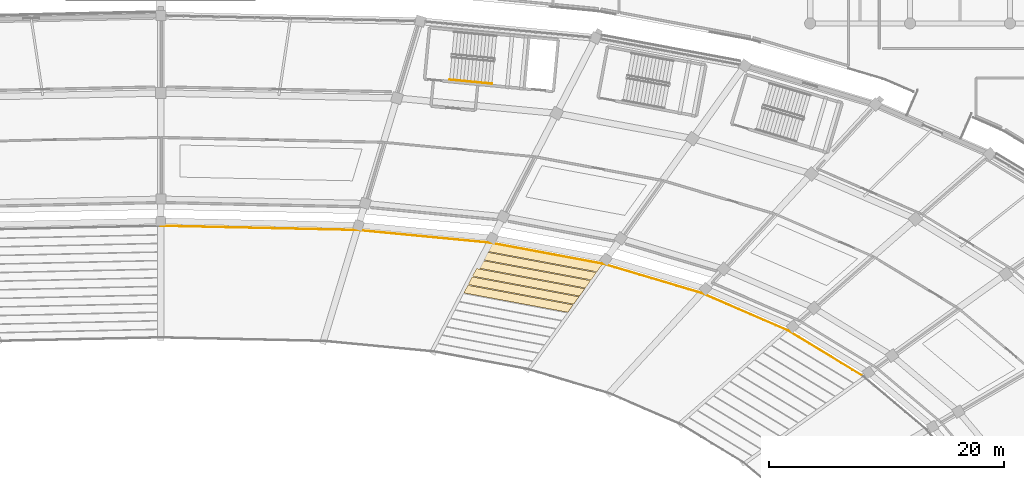
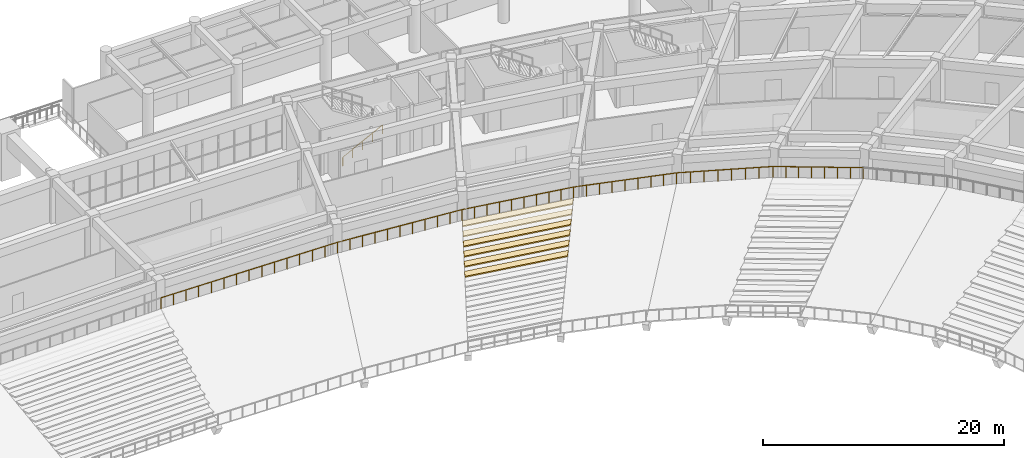
# One storey, part 149 of 152: 6 coverings, 2 railings.
"""IFC4 building model written with IfcOpenShell, lengths in metres."""

from ifc_helpers import new_model, si_unit, direction, frame, origin, origin_2d, place, context, subcontext, project, spatial, polyline, circle, outline, extrude, material, layer, layer_set, type_object, element, save


model = new_model("IFC4")

# Units and contexts
model_context = context("Model", 3, precision=1e-05, world=origin(), true_north=direction((0.0, 1.0)))
body_context = subcontext(model_context, "Body", "Model", "MODEL_VIEW")
ifc_project = project(units=[si_unit("LENGTHUNIT", "METRE"), si_unit("AREAUNIT", "SQUARE_METRE"), si_unit("VOLUMEUNIT", "CUBIC_METRE"), si_unit("PLANEANGLEUNIT", "RADIAN"), si_unit("MASSUNIT", "GRAM", prefix="KILO")], contexts=[model_context])

# Site, building, storey
site_placement = place(None, origin())
site = spatial("IfcSite", under=ifc_project, at=site_placement, CompositionType="ELEMENT")
building_placement = place(site_placement, origin())
building = spatial("IfcBuilding", under=site, at=building_placement, Name="Mphavela Belvedere Stadium", CompositionType="ELEMENT")
storey_placement = place(building_placement, frame((0.0, 0.0, 5.39990234375)))
storey = spatial("IfcBuildingStorey", under=building, at=storey_placement, Name="L01", CompositionType="ELEMENT", Elevation=5.39990234375)

# Coverings
ifc_material_1 = material(Name="Precast seating row terrazzo finish", Category="concrete")
ifc_layer = layer(ifc_material_1, 0.1201171875)
ifc_layer_set = layer_set([ifc_layer], Name="Precast seating row terrazzo finish")
covering_type = type_object("IfcCoveringType", Name="COV-SEAT-ROW-L", PredefinedType="FLOORING", material=ifc_layer_set)
covering_1_placement = place(storey_placement, frame((0.0, 0.0, -0.527587890625)))
element("IfcCovering", 1, at=covering_1_placement, inside=storey, type_object=covering_type, Name="Lower stand seating row bench B10-R08", PredefinedType="FLOORING", context=body_context, shape_type="SweptSolid", body=[
    extrude(outline(polyline([(149.708984375, 135.3662109375), (140.837890625, 137.0185546875), (141.177001953125, 137.6748046875), (150.16455078125, 136.001220703125), (149.708984375, 135.3662109375)])), origin(), (0.0, 0.0, 1.0), 0.119873046875),
])
covering_2_placement = place(storey_placement, frame((0.0, 0.0, -0.066162109375)))
element("IfcCovering", 2, at=covering_2_placement, inside=storey, type_object=covering_type, Name="Lower stand seating row bench B10-R09", PredefinedType="FLOORING", context=body_context, shape_type="SweptSolid", body=[
    extrude(outline(polyline([(150.2041015625, 136.05615234375), (141.20654296875, 137.73193359375), (141.545654296875, 138.388427734375), (150.65966796875, 136.69091796875), (150.2041015625, 136.05615234375)])), origin(), (0.0, 0.0, 1.0), 0.1201171875),
])
covering_3_placement = place(storey_placement, frame((0.0, 0.0, 0.3955078125)))
element("IfcCovering", 3, at=covering_3_placement, inside=storey, type_object=covering_type, Name="Lower stand seating row bench B10-R10", PredefinedType="FLOORING", context=body_context, shape_type="SweptSolid", body=[
    extrude(outline(polyline([(150.69921875, 136.74609375), (141.5751953125, 138.445556640625), (141.914306640625, 139.101806640625), (151.15478515625, 137.380859375), (150.69921875, 136.74609375)])), origin(), (0.0, 0.0, 1.0), 0.119873046875),
])
covering_4_placement = place(storey_placement, frame((0.0, 0.0, 0.85693359375)))
element("IfcCovering", 4, at=covering_4_placement, inside=storey, type_object=covering_type, Name="Lower stand seating row bench B10-R11", PredefinedType="FLOORING", context=body_context, shape_type="SweptSolid", body=[
    extrude(outline(polyline([(151.1943359375, 137.43603515625), (141.943603515625, 139.158935546875), (142.28271484375, 139.8154296875), (151.64990234375, 138.07080078125), (151.1943359375, 137.43603515625)])), origin(), (0.0, 0.0, 1.0), 0.1201171875),
])
covering_5_placement = place(storey_placement, frame((0.0, 0.0, 1.318603515625)))
element("IfcCovering", 5, at=covering_5_placement, inside=storey, type_object=covering_type, Name="Lower stand seating row bench B10-R12", PredefinedType="FLOORING", context=body_context, shape_type="SweptSolid", body=[
    extrude(outline(polyline([(151.689453125, 138.126220703125), (142.312255859375, 139.87255859375), (142.6513671875, 140.52880859375), (152.14501953125, 138.7607421875), (151.689453125, 138.126220703125)])), origin(), (0.0, 0.0, 1.0), 0.119873046875),
])
covering_6_placement = place(storey_placement, frame((0.0, 0.0, 1.780029296875)))
element("IfcCovering", 6, at=covering_6_placement, inside=storey, type_object=covering_type, Name="Lower stand seating row bench B10-R13", PredefinedType="FLOORING", context=body_context, shape_type="SweptSolid", body=[
    extrude(outline(polyline([(152.1845703125, 138.81591796875), (142.680908203125, 140.5859375), (143.02001953125, 141.242431640625), (152.64013671875, 139.45068359375), (152.1845703125, 138.81591796875)])), origin(), (0.0, 0.0, 1.0), 0.1201171875),
])

# Railings
ifc_material_2 = material(Name="Bronze and laminated glass stadium balustrade", Category="glass")
railing_type_1 = type_object("IfcRailingType", Name="RAL-BALUSTRADE-1120", PredefinedType="BALUSTRADE", material=ifc_material_2)
railing_1_placement = place(storey_placement, frame((174.889404296875, 129.910400390625, 1.900146484375)))
element("IfcRailing", 7, at=railing_1_placement, inside=storey, type_object=railing_type_1, Name="Bowl safety balustrade t1_rear S2", PredefinedType="BALUSTRADE", context=body_context, shape_type="SweptSolid", body=[
    extrude(circle(Radius=0.02392578125, at=origin_2d()), frame((0.0, 0.0, 1.09619140625), z_axis=(-0.854322499928, 0.519743269429, 0.0), x_axis=(-0.519743269429, -0.854322499928, 0.0)), (0.0, 0.0, 1.0), 7.49169921875),
    extrude(circle(Radius=0.02392578125, at=origin_2d()), frame((-6.400390625, 3.893798828125, 1.09619140625), z_axis=(-0.917498798541, 0.397738550654, 0.0), x_axis=(-0.397738550654, -0.917498798541, 0.0)), (0.0, 0.0, 1.0), 8.047119140625),
    extrude(circle(Radius=0.02392578125, at=origin_2d()), frame((-13.78369140625, 7.094482421875, 1.09619140625), z_axis=(-0.958662376763, 0.284546037364, 0.0), x_axis=(-0.284546037364, -0.958662376763, 0.0)), (0.0, 0.0, 1.0), 8.789306640625),
    extrude(circle(Radius=0.02392578125, at=origin_2d()), frame((-22.209716796875, 9.595458984375, 1.09619140625), z_axis=(-0.983092402982, 0.183110150455, 0.0), x_axis=(-0.183110150455, -0.983092402982, 0.0)), (0.0, 0.0, 1.0), 9.795654296875),
    extrude(circle(Radius=0.02392578125, at=origin_2d()), frame((-31.83984375, 11.38916015625, 1.09619140625), z_axis=(-0.995485236334, 0.094916511953, 0.0), x_axis=(-0.094916511953, -0.995485236334, 0.0)), (0.0, 0.0, 1.0), 11.368896484375),
    extrude(circle(Radius=0.02392578125, at=origin_2d()), frame((-43.157470703125, 12.46826171875, 1.09619140625), z_axis=(-0.999768164728, 0.021531762499, 0.0), x_axis=(-0.021531762499, -0.999768164728, 0.0)), (0.0, 0.0, 1.0), 16.73583984375),
    extrude(circle(Radius=0.02099609375, at=origin_2d()), origin(), (0.0, 0.0, 1.0), 1.072021484375),
    extrude(circle(Radius=0.02099609375, at=origin_2d()), frame((-0.914306640625, 0.55615234375, 0.0)), (0.0, 0.0, 1.0), 1.072021484375),
    extrude(circle(Radius=0.02099609375, at=origin_2d()), frame((-1.82861328125, 1.112548828125, 0.0)), (0.0, 0.0, 1.0), 1.072021484375),
    extrude(circle(Radius=0.02099609375, at=origin_2d()), frame((-2.742919921875, 1.668701171875, 0.0)), (0.0, 0.0, 1.0), 1.072021484375),
    extrude(circle(Radius=0.02099609375, at=origin_2d()), frame((-3.657470703125, 2.22509765625, 0.0)), (0.0, 0.0, 1.0), 1.072021484375),
    extrude(circle(Radius=0.02099609375, at=origin_2d()), frame((-4.57177734375, 2.78125, 0.0)), (0.0, 0.0, 1.0), 1.072021484375),
    extrude(circle(Radius=0.02099609375, at=origin_2d()), frame((-5.486083984375, 3.337646484375, 0.0)), (0.0, 0.0, 1.0), 1.072021484375),
    extrude(circle(Radius=0.02099609375, at=origin_2d()), frame((-6.400390625, 3.893798828125, 0.0)), (0.0, 0.0, 1.0), 1.072021484375),
    extrude(circle(Radius=0.02099609375, at=origin_2d()), frame((-7.455078125, 4.35107421875, 0.0)), (0.0, 0.0, 1.0), 1.072021484375),
    extrude(circle(Radius=0.02099609375, at=origin_2d()), frame((-8.510009765625, 4.808349609375, 0.0)), (0.0, 0.0, 1.0), 1.072021484375),
    extrude(circle(Radius=0.02099609375, at=origin_2d()), frame((-9.564697265625, 5.265625, 0.0)), (0.0, 0.0, 1.0), 1.072021484375),
    extrude(circle(Radius=0.02099609375, at=origin_2d()), frame((-10.619384765625, 5.72265625, 0.0)), (0.0, 0.0, 1.0), 1.072021484375),
    extrude(circle(Radius=0.02099609375, at=origin_2d()), frame((-11.674072265625, 6.179931640625, 0.0)), (0.0, 0.0, 1.0), 1.072021484375),
    extrude(circle(Radius=0.02099609375, at=origin_2d()), frame((-12.72900390625, 6.63720703125, 0.0)), (0.0, 0.0, 1.0), 1.072021484375),
    extrude(circle(Radius=0.02099609375, at=origin_2d()), frame((-13.78369140625, 7.094482421875, 0.0)), (0.0, 0.0, 1.0), 1.072021484375),
    extrude(circle(Radius=0.02099609375, at=origin_2d()), frame((-14.8369140625, 7.4072265625, 0.0)), (0.0, 0.0, 1.0), 1.072021484375),
    extrude(circle(Radius=0.02099609375, at=origin_2d()), frame((-15.89013671875, 7.7197265625, 0.0)), (0.0, 0.0, 1.0), 1.072021484375),
    extrude(circle(Radius=0.02099609375, at=origin_2d()), frame((-16.943359375, 8.0322265625, 0.0)), (0.0, 0.0, 1.0), 1.072021484375),
    extrude(circle(Radius=0.02099609375, at=origin_2d()), frame((-17.99658203125, 8.344970703125, 0.0)), (0.0, 0.0, 1.0), 1.072021484375),
    extrude(circle(Radius=0.02099609375, at=origin_2d()), frame((-19.050048828125, 8.65771484375, 0.0)), (0.0, 0.0, 1.0), 1.072021484375),
    extrude(circle(Radius=0.02099609375, at=origin_2d()), frame((-20.103271484375, 8.97021484375, 0.0)), (0.0, 0.0, 1.0), 1.072021484375),
    extrude(circle(Radius=0.02099609375, at=origin_2d()), frame((-21.156494140625, 9.28271484375, 0.0)), (0.0, 0.0, 1.0), 1.072021484375),
    extrude(circle(Radius=0.02099609375, at=origin_2d()), frame((-22.209716796875, 9.595458984375, 0.0)), (0.0, 0.0, 1.0), 1.072021484375),
    extrude(circle(Radius=0.02099609375, at=origin_2d()), frame((-23.27978515625, 9.794677734375, 0.0)), (0.0, 0.0, 1.0), 1.072021484375),
    extrude(circle(Radius=0.02099609375, at=origin_2d()), frame((-24.349853515625, 9.994140625, 0.0)), (0.0, 0.0, 1.0), 1.072021484375),
    extrude(circle(Radius=0.02099609375, at=origin_2d()), frame((-25.419677734375, 10.193359375, 0.0)), (0.0, 0.0, 1.0), 1.072021484375),
    extrude(circle(Radius=0.02099609375, at=origin_2d()), frame((-26.48974609375, 10.392578125, 0.0)), (0.0, 0.0, 1.0), 1.072021484375),
    extrude(circle(Radius=0.02099609375, at=origin_2d()), frame((-27.559814453125, 10.592041015625, 0.0)), (0.0, 0.0, 1.0), 1.072021484375),
    extrude(circle(Radius=0.02099609375, at=origin_2d()), frame((-28.6298828125, 10.791259765625, 0.0)), (0.0, 0.0, 1.0), 1.072021484375),
    extrude(circle(Radius=0.02099609375, at=origin_2d()), frame((-29.69970703125, 10.990478515625, 0.0)), (0.0, 0.0, 1.0), 1.072021484375),
    extrude(circle(Radius=0.02099609375, at=origin_2d()), frame((-30.769775390625, 11.18994140625, 0.0)), (0.0, 0.0, 1.0), 1.072021484375),
    extrude(circle(Radius=0.02099609375, at=origin_2d()), frame((-31.83984375, 11.38916015625, 0.0)), (0.0, 0.0, 1.0), 1.072021484375),
    extrude(circle(Radius=0.02099609375, at=origin_2d()), frame((-32.9716796875, 11.4970703125, 0.0)), (0.0, 0.0, 1.0), 1.072021484375),
    extrude(circle(Radius=0.02099609375, at=origin_2d()), frame((-34.103271484375, 11.60498046875, 0.0)), (0.0, 0.0, 1.0), 1.072021484375),
    extrude(circle(Radius=0.02099609375, at=origin_2d()), frame((-35.235107421875, 11.712890625, 0.0)), (0.0, 0.0, 1.0), 1.072021484375),
    extrude(circle(Radius=0.02099609375, at=origin_2d()), frame((-36.366943359375, 11.82080078125, 0.0)), (0.0, 0.0, 1.0), 1.072021484375),
    extrude(circle(Radius=0.02099609375, at=origin_2d()), frame((-37.49853515625, 11.9287109375, 0.0)), (0.0, 0.0, 1.0), 1.072021484375),
    extrude(circle(Radius=0.02099609375, at=origin_2d()), frame((-38.63037109375, 12.03662109375, 0.0)), (0.0, 0.0, 1.0), 1.072021484375),
    extrude(circle(Radius=0.02099609375, at=origin_2d()), frame((-39.76220703125, 12.14453125, 0.0)), (0.0, 0.0, 1.0), 1.072021484375),
    extrude(circle(Radius=0.02099609375, at=origin_2d()), frame((-40.89404296875, 12.25244140625, 0.0)), (0.0, 0.0, 1.0), 1.072021484375),
    extrude(circle(Radius=0.02099609375, at=origin_2d()), frame((-42.025634765625, 12.3603515625, 0.0)), (0.0, 0.0, 1.0), 1.072021484375),
    extrude(circle(Radius=0.02099609375, at=origin_2d()), frame((-43.157470703125, 12.46826171875, 0.0)), (0.0, 0.0, 1.0), 1.072021484375),
    extrude(circle(Radius=0.02099609375, at=origin_2d()), frame((-44.3525390625, 12.493896484375, 0.0)), (0.0, 0.0, 1.0), 1.072021484375),
    extrude(circle(Radius=0.02099609375, at=origin_2d()), frame((-45.5478515625, 12.519775390625, 0.0)), (0.0, 0.0, 1.0), 1.072021484375),
    extrude(circle(Radius=0.02099609375, at=origin_2d()), frame((-46.742919921875, 12.54541015625, 0.0)), (0.0, 0.0, 1.0), 1.072021484375),
    extrude(circle(Radius=0.02099609375, at=origin_2d()), frame((-47.93798828125, 12.5712890625, 0.0)), (0.0, 0.0, 1.0), 1.072021484375),
    extrude(circle(Radius=0.02099609375, at=origin_2d()), frame((-49.133056640625, 12.596923828125, 0.0)), (0.0, 0.0, 1.0), 1.072021484375),
    extrude(circle(Radius=0.02099609375, at=origin_2d()), frame((-50.328369140625, 12.622802734375, 0.0)), (0.0, 0.0, 1.0), 1.072021484375),
    extrude(circle(Radius=0.02099609375, at=origin_2d()), frame((-51.5234375, 12.6484375, 0.0)), (0.0, 0.0, 1.0), 1.072021484375),
    extrude(circle(Radius=0.02099609375, at=origin_2d()), frame((-52.718505859375, 12.674072265625, 0.0)), (0.0, 0.0, 1.0), 1.072021484375),
    extrude(circle(Radius=0.02099609375, at=origin_2d()), frame((-53.913818359375, 12.699951171875, 0.0)), (0.0, 0.0, 1.0), 1.072021484375),
    extrude(circle(Radius=0.02099609375, at=origin_2d()), frame((-55.10888671875, 12.7255859375, 0.0)), (0.0, 0.0, 1.0), 1.072021484375),
    extrude(circle(Radius=0.02099609375, at=origin_2d()), frame((-56.303955078125, 12.75146484375, 0.0)), (0.0, 0.0, 1.0), 1.072021484375),
    extrude(circle(Radius=0.02099609375, at=origin_2d()), frame((-57.4990234375, 12.777099609375, 0.0)), (0.0, 0.0, 1.0), 1.072021484375),
    extrude(circle(Radius=0.02099609375, at=origin_2d()), frame((-58.6943359375, 12.802978515625, 0.0)), (0.0, 0.0, 1.0), 1.072021484375),
    extrude(circle(Radius=0.02099609375, at=origin_2d()), frame((-59.889404296875, 12.82861328125, 0.0)), (0.0, 0.0, 1.0), 1.072021484375),
])
ifc_material_3 = material(Name="Brushed stainless steel tubular handrail", Category="steel")
railing_type_2 = type_object("IfcRailingType", Name="RAL-HANDRAIL-900", PredefinedType="HANDRAIL", material=ifc_material_3)
railing_2_placement = place(storey_placement, frame((139.625732421875, 155.200439453125, 0.184814453125)))
element("IfcRailing", 8, at=railing_2_placement, inside=storey, type_object=railing_type_2, Name="L01 ST-C03 stair handrail 1", PredefinedType="HANDRAIL", context=body_context, shape_type="SweptSolid", body=[
    extrude(circle(Radius=0.02392578125, at=origin_2d()), frame((0.0, 0.0, 0.8759765625), z_axis=(0.849341639897, -0.081048437483, 0.521584057961), x_axis=(0.094993491468, 0.995477893566, 0.0)), (0.0, 0.0, 1.0), 4.247314453125),
    extrude(circle(Radius=0.02099609375, at=origin_2d()), origin(), (0.0, 0.0, 1.0), 0.851806640625),
    extrude(circle(Radius=0.02099609375, at=origin_2d()), frame((0.90185546875, -0.0859375, 0.5537109375)), (0.0, 0.0, 1.0), 0.851806640625),
    extrude(circle(Radius=0.02099609375, at=origin_2d()), frame((1.8037109375, -0.172119140625, 1.107666015625)), (0.0, 0.0, 1.0), 0.851806640625),
    extrude(circle(Radius=0.02099609375, at=origin_2d()), frame((2.70556640625, -0.25830078125, 1.66162109375)), (0.0, 0.0, 1.0), 0.851806640625),
    extrude(circle(Radius=0.02099609375, at=origin_2d()), frame((3.607421875, -0.34423828125, 2.21533203125)), (0.0, 0.0, 1.0), 0.851806640625),
])

save(model, "model.ifc")
